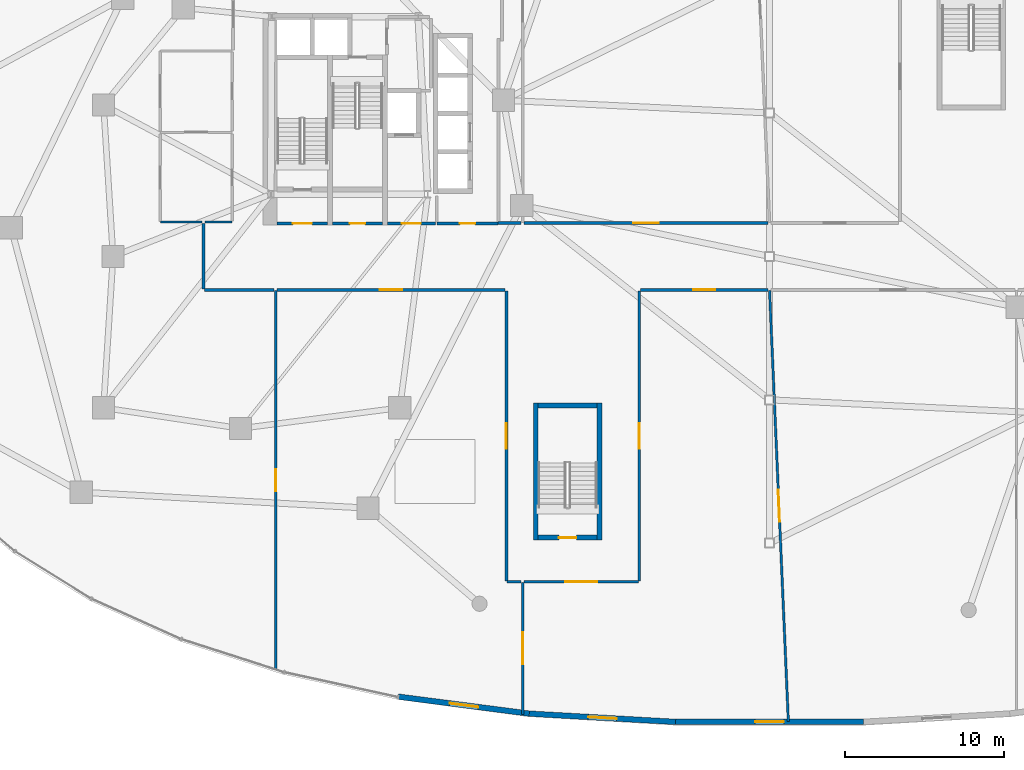
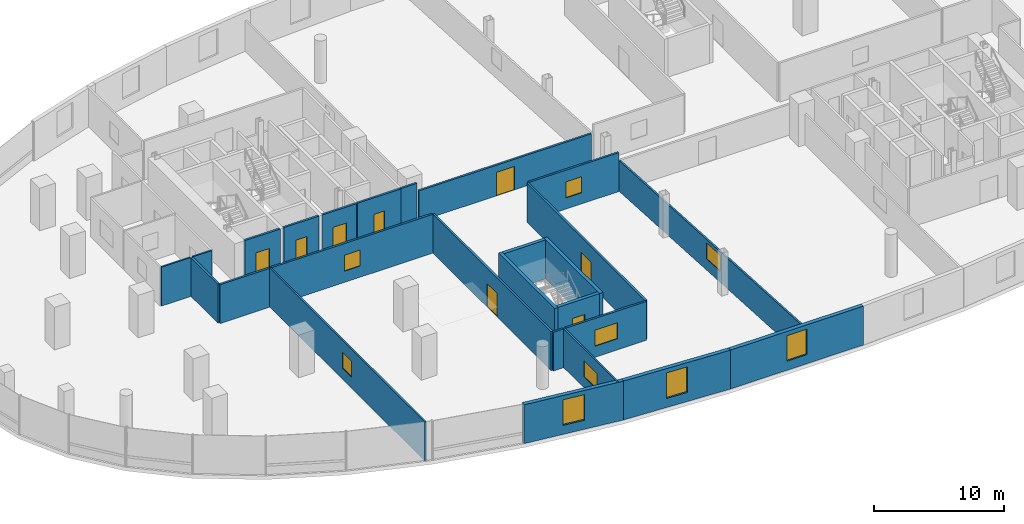
# One storey, part 12 of 19: 26 walls, 9 windows, 8 doors, 17 openings.
"""IFC4 building model written with IfcOpenShell, lengths in metres."""

from ifc_helpers import new_model, si_unit, direction, frame, frame_2d, origin, place, context, subcontext, project, spatial, rectangle, extrude, material, layer, layer_set, type_object, element, fill, save


model = new_model("IFC4")

# Units and contexts
model_context = context("Model", 3, precision=1e-05, world=origin(), true_north=direction((0.0, 1.0)))
body_context = subcontext(model_context, "Body", "Model", "MODEL_VIEW")
ifc_project = project(units=[si_unit("LENGTHUNIT", "METRE"), si_unit("AREAUNIT", "SQUARE_METRE"), si_unit("VOLUMEUNIT", "CUBIC_METRE"), si_unit("PLANEANGLEUNIT", "RADIAN"), si_unit("MASSUNIT", "GRAM", prefix="KILO"), si_unit("THERMODYNAMICTEMPERATUREUNIT", "KELVIN"), si_unit("POWERUNIT", "WATT")], contexts=[model_context])

# Site, building, storey
site_placement = place(None, origin())
site = spatial("IfcSite", under=ifc_project, at=site_placement, CompositionType="ELEMENT")
building_placement = place(site_placement, origin())
building = spatial("IfcBuilding", under=site, at=building_placement, Name="Cundina Bronze Exchange", CompositionType="ELEMENT")
storey_placement = place(building_placement, frame((0.0, 0.0, 16.0)))
storey = spatial("IfcBuildingStorey", under=building, at=storey_placement, Name="L03", CompositionType="ELEMENT", Elevation=16.0)

# Wall, opening, door
ifc_material_1 = material(Name="Gypsum Fireboard Partition EI120")
ifc_layer_1 = layer(ifc_material_1, 0.179931640625, Name="Gypsum Fireboard Partition EI120")
ifc_layer_set_1 = layer_set([ifc_layer_1], Name="Gypsum Fireboard Partition EI120")
wall_type_1 = type_object("IfcWallType", Name="WL-COR-180", PredefinedType="PARTITIONING", material=ifc_layer_set_1)
wall_1_placement = place(storey_placement, frame((-23.97998046875, 2.06005859375, 0.0), z_axis=(0.0, 0.0, 1.0), x_axis=(1.0, 0.0, 0.0)))
wall_1 = element("IfcWall", 1, at=wall_1_placement, inside=storey, type_object=wall_type_1, Name="L03 W Firefighting Lobby Exit Wall", PredefinedType="PARTITIONING", context=body_context, shape_type="SweptSolid", body=[
    extrude(rectangle(XDim=3.0, YDim=0.179931640625, at=frame_2d((1.5, 0.0))), origin(), (0.0, 0.0, 1.0), 3.64990234375),
])
opening_1_placement = place(wall_1_placement, frame((0.89990234375, 0.0, 0.0)))
opening_1 = element("IfcOpeningElement", 2, at=opening_1_placement, cuts=wall_1, Name="Opening DF-01", PredefinedType="OPENING", context=body_context, shape_type="SweptSolid", body=[
    extrude(rectangle(XDim=1.199951171875, YDim=2.14990234375, at=frame_2d((0.60009765625, 1.074951171875))), frame((0.0, 0.099853515625, 0.0), z_axis=(0.0, -1.0, 0.0), x_axis=(1.0, 0.0, 0.0)), (0.0, 0.0, 1.0), 0.199951171875),
])
ifc_material_2 = material(Name="Steel ASTM A36 Painted", Category="steel")
door_type_1 = type_object("IfcDoorType", Name="DR-FFL-1200", OperationType="NOTDEFINED", PredefinedType="DOOR", material=ifc_material_2)
door_1_placement = place(opening_1_placement, origin())
door_1 = element("IfcDoor", 3, at=door_1_placement, inside=storey, type_object=door_type_1, Name="L03 W Firefighting Lobby Door", OperationType="SINGLE_SWING_RIGHT", OverallHeight=2.14990234375, OverallWidth=1.199951171875, PredefinedType="DOOR", context=body_context, shape_type="SweptSolid", body=[
    extrude(rectangle(XDim=1.199951171875, YDim=2.14990234375, at=frame_2d((0.60009765625, 1.074951171875))), frame((0.0, 0.02490234375, 0.0), z_axis=(0.0, -1.0, 0.0), x_axis=(1.0, 0.0, 0.0)), (0.0, 0.0, 1.0), 0.050048828125),
])
fill(opening_1, door_1)

wall_2_placement = place(storey_placement, frame((-30.89990234375, 2.06005859375, 0.0), z_axis=(0.0, 0.0, 1.0), x_axis=(1.0, 0.0, 0.0)))
wall_2 = element("IfcWall", 4, at=wall_2_placement, inside=storey, type_object=wall_type_1, Name="L03 W Stair Vestibule Exit Wall", PredefinedType="PARTITIONING", context=body_context, shape_type="SweptSolid", body=[
    extrude(rectangle(XDim=3.159912109375, YDim=0.179931640625, at=frame_2d((1.580078125, 0.0))), origin(), (0.0, 0.0, 1.0), 3.64990234375),
])
opening_2_placement = place(wall_2_placement, frame((0.97998046875, 0.0, 0.0)))
opening_2 = element("IfcOpeningElement", 5, at=opening_2_placement, cuts=wall_2, Name="Opening DF-01", PredefinedType="OPENING", context=body_context, shape_type="SweptSolid", body=[
    extrude(rectangle(XDim=1.199951171875, YDim=2.14990234375, at=frame_2d((0.60009765625, 1.074951171875))), frame((0.0, 0.099853515625, 0.0), z_axis=(0.0, -1.0, 0.0), x_axis=(1.0, 0.0, 0.0)), (0.0, 0.0, 1.0), 0.199951171875),
])
door_2_placement = place(opening_2_placement, origin())
door_2 = element("IfcDoor", 6, at=door_2_placement, inside=storey, type_object=door_type_1, Name="L03 W Stair Vestibule Door", OperationType="SINGLE_SWING_LEFT", OverallHeight=2.14990234375, OverallWidth=1.199951171875, PredefinedType="DOOR", context=body_context, shape_type="SweptSolid", body=[
    extrude(rectangle(XDim=1.199951171875, YDim=2.14990234375, at=frame_2d((0.60009765625, 1.074951171875))), frame((0.0, 0.02490234375, 0.0), z_axis=(0.0, -1.0, 0.0), x_axis=(1.0, 0.0, 0.0)), (0.0, 0.0, 1.0), 0.050048828125),
])
fill(opening_2, door_2)

wall_3_placement = place(storey_placement, frame((-20.8701171875, 2.070068359375, 0.0), z_axis=(0.0, 0.0, 1.0), x_axis=(1.0, 0.0, 0.0)))
wall_3 = element("IfcWall", 7, at=wall_3_placement, inside=storey, type_object=wall_type_1, Name="L03 Interior Partition 002", PredefinedType="PARTITIONING", context=body_context, shape_type="SweptSolid", body=[
    extrude(rectangle(XDim=3.830078125, YDim=0.179931640625, at=frame_2d((1.9150390625, 0.0))), origin(), (0.0, 0.0, 1.0), 3.64990234375),
])
opening_3_placement = place(wall_3_placement, frame((1.43994140625, 0.0, 0.0)))
opening_3 = element("IfcOpeningElement", 8, at=opening_3_placement, cuts=wall_3, Name="Opening DW-01", PredefinedType="OPENING", context=body_context, shape_type="SweptSolid", body=[
    extrude(rectangle(XDim=0.949951171875, YDim=2.10009765625, at=frame_2d((0.47509765625, 1.050048828125))), frame((0.0, 0.099853515625, 0.0), z_axis=(0.0, -1.0, 0.0), x_axis=(1.0, 0.0, 0.0)), (0.0, 0.0, 1.0), 0.199951171875),
])
ifc_material_3 = material(Name="Solid Andean Oak Timber Grade A", Category="wood")
door_type_2 = type_object("IfcDoorType", Name="DR-WC-950", OperationType="NOTDEFINED", PredefinedType="DOOR", material=ifc_material_3)
door_3_placement = place(opening_3_placement, origin())
door_3 = element("IfcDoor", 9, at=door_3_placement, inside=storey, type_object=door_type_2, Name="L03 Interior Door 002", OperationType="SINGLE_SWING_LEFT", OverallHeight=2.10009765625, OverallWidth=0.949951171875, PredefinedType="DOOR", context=body_context, shape_type="SweptSolid", body=[
    extrude(rectangle(XDim=0.949951171875, YDim=2.10009765625, at=frame_2d((0.47509765625, 1.050048828125))), frame((0.0, 0.02490234375, 0.0), z_axis=(0.0, -1.0, 0.0), x_axis=(1.0, 0.0, 0.0)), (0.0, 0.0, 1.0), 0.050048828125),
])
fill(opening_3, door_3)

wall_4_placement = place(storey_placement, frame((-27.419921875, 2.070068359375, 0.0), z_axis=(0.0, 0.0, 1.0), x_axis=(1.0, 0.0, 0.0)))
wall_4 = element("IfcWall", 10, at=wall_4_placement, inside=storey, type_object=wall_type_1, Name="L03 Interior Partition 006", PredefinedType="PARTITIONING", context=body_context, shape_type="SweptSolid", body=[
    extrude(rectangle(XDim=3.119873046875, YDim=0.179931640625, at=frame_2d((1.56005859375, 0.0))), origin(), (0.0, 0.0, 1.0), 3.64990234375),
])
opening_4_placement = place(wall_4_placement, frame((1.0849609375, 0.0, 0.0)))
opening_4 = element("IfcOpeningElement", 11, at=opening_4_placement, cuts=wall_4, Name="Opening DW-01", PredefinedType="OPENING", context=body_context, shape_type="SweptSolid", body=[
    extrude(rectangle(XDim=0.949951171875, YDim=2.10009765625, at=frame_2d((0.47509765625, 1.050048828125))), frame((0.0, 0.099853515625, 0.0), z_axis=(0.0, -1.0, 0.0), x_axis=(1.0, 0.0, 0.0)), (0.0, 0.0, 1.0), 0.199951171875),
])
door_4_placement = place(opening_4_placement, origin())
door_4 = element("IfcDoor", 12, at=door_4_placement, inside=storey, type_object=door_type_2, Name="L03 Interior Door 006", OperationType="SINGLE_SWING_LEFT", OverallHeight=2.10009765625, OverallWidth=0.949951171875, PredefinedType="DOOR", context=body_context, shape_type="SweptSolid", body=[
    extrude(rectangle(XDim=0.949951171875, YDim=2.10009765625, at=frame_2d((0.47509765625, 1.050048828125))), frame((0.0, 0.02490234375, 0.0), z_axis=(0.0, -1.0, 0.0), x_axis=(1.0, 0.0, 0.0)), (0.0, 0.0, 1.0), 0.050048828125),
])
fill(opening_4, door_4)

wall_5_placement = place(storey_placement, frame((-8.179931640625, -20.37841796875, 0.0), z_axis=(0.0, 0.0, 1.0), x_axis=(0.0, 1.0, 0.0)))
wall_5 = element("IfcWall", 13, at=wall_5_placement, inside=storey, type_object=wall_type_1, Name="L03 Interior Partition 038", PredefinedType="PARTITIONING", context=body_context, shape_type="SweptSolid", body=[
    extrude(rectangle(XDim=18.198486328125, YDim=0.179931640625, at=frame_2d((9.09912109375, 0.0))), origin(), (0.0, 0.0, 1.0), 3.64990234375),
])
opening_5_placement = place(wall_5_placement, frame((8.29931640625, 0.0, 0.0)))
opening_5 = element("IfcOpeningElement", 14, at=opening_5_placement, cuts=wall_5, Name="Opening DO-02", PredefinedType="OPENING", context=body_context, shape_type="SweptSolid", body=[
    extrude(rectangle(XDim=1.60009765625, YDim=2.199951171875, at=frame_2d((0.800048828125, 1.10009765625))), frame((0.0, 0.099853515625, 0.0), z_axis=(0.0, -1.0, 0.0), x_axis=(1.0, 0.0, 0.0)), (0.0, 0.0, 1.0), 0.199951171875),
])
door_type_3 = type_object("IfcDoorType", Name="DR-TRD-1600", OperationType="NOTDEFINED", PredefinedType="DOOR", material=ifc_material_3)
door_5_placement = place(opening_5_placement, origin())
door_5 = element("IfcDoor", 15, at=door_5_placement, inside=storey, type_object=door_type_3, Name="L03 Interior Door 038", OperationType="SINGLE_SWING_LEFT", OverallHeight=2.199951171875, OverallWidth=1.60009765625, PredefinedType="DOOR", context=body_context, shape_type="SweptSolid", body=[
    extrude(rectangle(XDim=1.60009765625, YDim=2.199951171875, at=frame_2d((0.800048828125, 1.10009765625))), frame((0.0, 0.02490234375, 0.0), z_axis=(0.0, -1.0, 0.0), x_axis=(1.0, 0.0, 0.0)), (0.0, 0.0, 1.0), 0.050048828125),
])
fill(opening_5, door_5)

# Wall, opening, window
wall_6_placement = place(storey_placement, frame((-8.10009765625, -2.10009765625, 0.0), z_axis=(0.0, 0.0, 1.0), x_axis=(1.0, 0.0, 0.0)))
wall_6 = element("IfcWall", 16, at=wall_6_placement, inside=storey, type_object=wall_type_1, Name="L03 Interior Partition 039", PredefinedType="PARTITIONING", context=body_context, shape_type="SweptSolid", body=[
    extrude(rectangle(XDim=8.005126953125, YDim=0.179931640625, at=frame_2d((4.00244140625, 0.0))), origin(), (0.0, 0.0, 1.0), 3.64990234375),
])
opening_6_placement = place(wall_6_placement, frame((3.302001953125, 0.0, 1.050048828125)))
opening_6 = element("IfcOpeningElement", 17, at=opening_6_placement, cuts=wall_6, Name="Opening WI-02", PredefinedType="OPENING", context=body_context, shape_type="SweptSolid", body=[
    extrude(rectangle(XDim=1.39990234375, YDim=1.5, at=frame_2d((0.699951171875, 0.75))), frame((0.0, 0.099853515625, 0.0), z_axis=(0.0, -1.0, 0.0), x_axis=(1.0, 0.0, 0.0)), (0.0, 0.0, 1.0), 0.199951171875),
])
ifc_material_4 = material(Name="Clear Low-E Insulating Glass 26mm", Category="glass")
window_type_1 = type_object("IfcWindowType", Name="WN-INT-1400", PartitioningType="SINGLE_PANEL", PredefinedType="WINDOW", material=ifc_material_4)
window_1_placement = place(opening_6_placement, origin())
window_1 = element("IfcWindow", 18, at=window_1_placement, inside=storey, type_object=window_type_1, Name="L03 Interior Acoustic Vision Window 039", OverallHeight=1.5, OverallWidth=1.39990234375, PartitioningType="SINGLE_PANEL", PredefinedType="WINDOW", context=body_context, shape_type="SweptSolid", body=[
    extrude(rectangle(XDim=1.39990234375, YDim=1.5, at=frame_2d((0.699951171875, 0.75))), frame((0.0, 0.030029296875, 0.0), z_axis=(0.0, -1.0, 0.0), x_axis=(1.0, 0.0, 0.0)), (0.0, 0.0, 1.0), 0.06005859375),
])
fill(opening_6, window_1)

wall_7_placement = place(storey_placement, frame((-15.405029296875, -20.419921875, 0.0), z_axis=(0.0, 0.0, 1.0), x_axis=(1.0, 0.0, 0.0)))
wall_7 = element("IfcWall", 19, at=wall_7_placement, inside=storey, type_object=wall_type_1, Name="L03 Interior Partition 040", PredefinedType="PARTITIONING", context=body_context, shape_type="SweptSolid", body=[
    extrude(rectangle(XDim=7.18359375, YDim=0.179931640625, at=frame_2d((3.591796875, 0.0))), origin(), (0.0, 0.0, 1.0), 3.64990234375),
])
opening_7_placement = place(wall_7_placement, frame((2.592041015625, 0.0, 1.050048828125)))
opening_7 = element("IfcOpeningElement", 20, at=opening_7_placement, cuts=wall_7, Name="Opening WI-01", PredefinedType="OPENING", context=body_context, shape_type="SweptSolid", body=[
    extrude(rectangle(XDim=2.0, YDim=1.5, at=frame_2d((1.0, 0.75))), frame((0.0, 0.099853515625, 0.0), z_axis=(0.0, -1.0, 0.0), x_axis=(1.0, 0.0, 0.0)), (0.0, 0.0, 1.0), 0.199951171875),
])
window_type_2 = type_object("IfcWindowType", Name="WN-INT-2000", PartitioningType="SINGLE_PANEL", PredefinedType="WINDOW", material=ifc_material_4)
window_2_placement = place(opening_7_placement, origin())
window_2 = element("IfcWindow", 21, at=window_2_placement, inside=storey, type_object=window_type_2, Name="L03 Interior Acoustic Vision Window 040", OverallHeight=1.5, OverallWidth=2.0, PartitioningType="SINGLE_PANEL", PredefinedType="WINDOW", context=body_context, shape_type="SweptSolid", body=[
    extrude(rectangle(XDim=2.0, YDim=1.5, at=frame_2d((1.0, 0.75))), frame((0.0, 0.030029296875, 0.0), z_axis=(0.0, -1.0, 0.0), x_axis=(1.0, 0.0, 0.0)), (0.0, 0.0, 1.0), 0.06005859375),
])
fill(opening_7, window_2)

# Wall, opening, door
wall_8_placement = place(storey_placement, frame((-16.52001953125, -2.179931640625, 0.0), z_axis=(0.0, 0.0, 1.0), x_axis=(0.0, -1.0, 0.0)))
wall_8 = element("IfcWall", 22, at=wall_8_placement, inside=storey, type_object=wall_type_1, Name="L03 Interior Partition 042", PredefinedType="PARTITIONING", context=body_context, shape_type="SweptSolid", body=[
    extrude(rectangle(XDim=18.198486328125, YDim=0.179931640625, at=frame_2d((9.09912109375, 0.0))), origin(), (0.0, 0.0, 1.0), 3.64990234375),
])
opening_8_placement = place(wall_8_placement, frame((8.29931640625, 0.0, 0.0)))
opening_8 = element("IfcOpeningElement", 23, at=opening_8_placement, cuts=wall_8, Name="Opening DO-02", PredefinedType="OPENING", context=body_context, shape_type="SweptSolid", body=[
    extrude(rectangle(XDim=1.60009765625, YDim=2.199951171875, at=frame_2d((0.800048828125, 1.10009765625))), frame((0.0, 0.099853515625, 0.0), z_axis=(0.0, -1.0, 0.0), x_axis=(1.0, 0.0, 0.0)), (0.0, 0.0, 1.0), 0.199951171875),
])
door_6_placement = place(opening_8_placement, origin())
door_6 = element("IfcDoor", 24, at=door_6_placement, inside=storey, type_object=door_type_3, Name="L03 Interior Door 042", OperationType="SINGLE_SWING_RIGHT", OverallHeight=2.199951171875, OverallWidth=1.60009765625, PredefinedType="DOOR", context=body_context, shape_type="SweptSolid", body=[
    extrude(rectangle(XDim=1.60009765625, YDim=2.199951171875, at=frame_2d((0.800048828125, 1.10009765625))), frame((0.0, 0.02490234375, 0.0), z_axis=(0.0, -1.0, 0.0), x_axis=(1.0, 0.0, 0.0)), (0.0, 0.0, 1.0), 0.050048828125),
])
fill(opening_8, door_6)

# Wall, opening, window
wall_9_placement = place(storey_placement, frame((-30.905029296875, -2.10009765625, 0.0), z_axis=(0.0, 0.0, 1.0), x_axis=(1.0, 0.0, 0.0)))
wall_9 = element("IfcWall", 25, at=wall_9_placement, inside=storey, type_object=wall_type_1, Name="L03 Interior Partition 043", PredefinedType="PARTITIONING", context=body_context, shape_type="SweptSolid", body=[
    extrude(rectangle(XDim=14.304931640625, YDim=0.179931640625, at=frame_2d((7.15234375, 0.0))), origin(), (0.0, 0.0, 1.0), 3.64990234375),
])
opening_9_placement = place(wall_9_placement, frame((6.451904296875, 0.0, 1.050048828125)))
opening_9 = element("IfcOpeningElement", 26, at=opening_9_placement, cuts=wall_9, Name="Opening WI-02", PredefinedType="OPENING", context=body_context, shape_type="SweptSolid", body=[
    extrude(rectangle(XDim=1.39990234375, YDim=1.5, at=frame_2d((0.699951171875, 0.75))), frame((0.0, 0.099853515625, 0.0), z_axis=(0.0, -1.0, 0.0), x_axis=(1.0, 0.0, 0.0)), (0.0, 0.0, 1.0), 0.199951171875),
])
window_3_placement = place(opening_9_placement, origin())
window_3 = element("IfcWindow", 27, at=window_3_placement, inside=storey, type_object=window_type_1, Name="L03 Interior Acoustic Vision Window 043", OverallHeight=1.5, OverallWidth=1.39990234375, PartitioningType="SINGLE_PANEL", PredefinedType="WINDOW", context=body_context, shape_type="SweptSolid", body=[
    extrude(rectangle(XDim=1.39990234375, YDim=1.5, at=frame_2d((0.699951171875, 0.75))), frame((0.0, 0.030029296875, 0.0), z_axis=(0.0, -1.0, 0.0), x_axis=(1.0, 0.0, 0.0)), (0.0, 0.0, 1.0), 0.06005859375),
])
fill(opening_9, window_3)

# Walls
wall_10_placement = place(storey_placement, frame((-16.478515625, -20.419921875, 0.0), z_axis=(0.0, 0.0, 1.0), x_axis=(1.0, 0.0, 0.0)))
element("IfcWall", 28, at=wall_10_placement, inside=storey, type_object=wall_type_1, Name="L03 Interior Partition 044", PredefinedType="PARTITIONING", context=body_context, shape_type="SweptSolid", body=[
    extrude(rectangle(XDim=0.883544921875, YDim=0.179931640625, at=frame_2d((0.44189453125, 0.0))), origin(), (0.0, 0.0, 1.0), 3.64990234375),
])
wall_11_placement = place(storey_placement, frame((-35.478515625, -2.10009765625, 0.0), z_axis=(0.0, 0.0, 1.0), x_axis=(1.0, 0.0, 0.0)))
element("IfcWall", 29, at=wall_11_placement, inside=storey, type_object=wall_type_1, Name="L03 Interior Partition 046", PredefinedType="PARTITIONING", context=body_context, shape_type="SweptSolid", body=[
    extrude(rectangle(XDim=4.383544921875, YDim=0.179931640625, at=frame_2d((2.19189453125, 0.0))), origin(), (0.0, 0.0, 1.0), 3.64990234375),
])
wall_12_placement = place(storey_placement, frame((-35.52001953125, 2.05859375, 0.0), z_axis=(0.0, 0.0, 1.0), x_axis=(0.0, -1.0, 0.0)))
element("IfcWall", 30, at=wall_12_placement, inside=storey, type_object=wall_type_1, Name="L03 Interior Partition 047", PredefinedType="PARTITIONING", context=body_context, shape_type="SweptSolid", body=[
    extrude(rectangle(XDim=4.1171875, YDim=0.179931640625, at=frame_2d((2.05859375, 0.0))), origin(), (0.0, 0.0, 1.0), 3.64990234375),
])

# Wall, opening, door
wall_13_placement = place(storey_placement, frame((-0.094970703125, 2.10009765625, 0.0), z_axis=(0.0, 0.0, 1.0), x_axis=(-1.0, 0.0, 0.0)))
wall_13 = element("IfcWall", 31, at=wall_13_placement, inside=storey, type_object=wall_type_1, Name="L03 Interior Partition 057", PredefinedType="PARTITIONING", context=body_context, shape_type="SweptSolid", body=[
    extrude(rectangle(XDim=15.31005859375, YDim=0.179931640625, at=frame_2d((7.655029296875, 0.0))), origin(), (0.0, 0.0, 1.0), 2.876953125),
])
opening_10_placement = place(wall_13_placement, frame((6.85498046875, 0.0, 0.0)))
opening_10 = element("IfcOpeningElement", 32, at=opening_10_placement, cuts=wall_13, Name="Opening DO-02", PredefinedType="OPENING", context=body_context, shape_type="SweptSolid", body=[
    extrude(rectangle(XDim=1.60009765625, YDim=2.199951171875, at=frame_2d((0.800048828125, 1.10009765625))), frame((0.0, 0.099853515625, 0.0), z_axis=(0.0, -1.0, 0.0), x_axis=(1.0, 0.0, 0.0)), (0.0, 0.0, 1.0), 0.199951171875),
])
door_7_placement = place(opening_10_placement, origin())
door_7 = element("IfcDoor", 33, at=door_7_placement, inside=storey, type_object=door_type_3, Name="L03 Interior Door 057", OperationType="SINGLE_SWING_RIGHT", OverallHeight=2.199951171875, OverallWidth=1.60009765625, PredefinedType="DOOR", context=body_context, shape_type="SweptSolid", body=[
    extrude(rectangle(XDim=1.60009765625, YDim=2.199951171875, at=frame_2d((0.800048828125, 1.10009765625))), frame((0.0, 0.02490234375, 0.0), z_axis=(0.0, -1.0, 0.0), x_axis=(1.0, 0.0, 0.0)), (0.0, 0.0, 1.0), 0.050048828125),
])
fill(opening_10, door_7)

# Wall
wall_14_placement = place(storey_placement, frame((-15.594970703125, 2.10009765625, 0.0), z_axis=(0.0, 0.0, 1.0), x_axis=(-1.0, 0.0, 0.0)))
element("IfcWall", 34, at=wall_14_placement, inside=storey, type_object=wall_type_1, Name="L03 Interior Partition 063", PredefinedType="PARTITIONING", context=body_context, shape_type="SweptSolid", body=[
    extrude(rectangle(XDim=1.445068359375, YDim=0.179931640625, at=frame_2d((0.72265625, 0.0))), origin(), (0.0, 0.0, 1.0), 3.64990234375),
])

# Wall, opening, window
ifc_material_5 = material(Name="Concrete C40/50", Category="concrete")
ifc_layer_2 = layer(ifc_material_5, 0.35009765625, Name="Concrete C40/50", Category="concrete")
ifc_layer_set_2 = layer_set([ifc_layer_2], Name="Concrete C40/50")
wall_type_2 = type_object("IfcWallType", Name="WL-EXT-350", PredefinedType="SOLIDWALL", material=ifc_layer_set_2)
wall_15_placement = place(storey_placement, frame((-23.29345703125, -27.63232421875, 0.0), z_axis=(0.0, 0.0, 1.0), x_axis=(0.99168663472, -0.128676410104, 0.0)))
wall_15 = element("IfcWall", 35, at=wall_15_placement, inside=storey, type_object=wall_type_2, Name="L03 Podium Exterior Wall 30", PredefinedType="SOLIDWALL", context=body_context, shape_type="SweptSolid", body=[
    extrude(rectangle(XDim=8.28369140625, YDim=0.35009765625, at=frame_2d((4.141845703125, 0.0))), origin(), (0.0, 0.0, 1.0), 3.64990234375),
])
opening_11_placement = place(wall_15_placement, frame((3.241943359375, 0.0, 0.85009765625)))
opening_11 = element("IfcOpeningElement", 36, at=opening_11_placement, cuts=wall_15, Name="Opening W-02", PredefinedType="OPENING", context=body_context, shape_type="SweptSolid", body=[
    extrude(rectangle(XDim=1.800048828125, YDim=2.39990234375, at=frame_2d((0.89990234375, 1.199951171875))), frame((0.0, 0.18505859375, 0.0), z_axis=(0.0, -1.0, 0.0), x_axis=(1.0, 0.0, 0.0)), (0.0, 0.0, 1.0), 0.3701171875),
])
ifc_material_6 = material(Name="Heat-Strengthened Solar-Control Bronze Safety Glass 28mm", Category="glass")
window_type_3 = type_object("IfcWindowType", Name="WN-POD-1800", PartitioningType="SINGLE_PANEL", PredefinedType="WINDOW", material=ifc_material_6)
window_4_placement = place(opening_11_placement, origin())
window_4 = element("IfcWindow", 37, at=window_4_placement, inside=storey, type_object=window_type_3, Name="L03 Podium Punched Window 30", OverallHeight=2.39990234375, OverallWidth=1.800048828125, PartitioningType="SINGLE_PANEL", PredefinedType="WINDOW", context=body_context, shape_type="SweptSolid", body=[
    extrude(rectangle(XDim=1.800048828125, YDim=2.39990234375, at=frame_2d((0.89990234375, 1.199951171875))), frame((0.0, 0.030029296875, 0.0), z_axis=(0.0, -1.0, 0.0), x_axis=(1.0, 0.0, 0.0)), (0.0, 0.0, 1.0), 0.06005859375),
])
fill(opening_11, window_4)

wall_16_placement = place(storey_placement, frame((-15.07861328125, -28.6982421875, 0.0), z_axis=(0.0, 0.0, 1.0), x_axis=(0.998413463137, -0.056307695976, 0.0)))
wall_16 = element("IfcWall", 38, at=wall_16_placement, inside=storey, type_object=wall_type_2, Name="L03 Podium Exterior Wall 31", PredefinedType="SOLIDWALL", context=body_context, shape_type="SweptSolid", body=[
    extrude(rectangle(XDim=9.20068359375, YDim=0.35009765625, at=frame_2d((4.600341796875, 0.0))), origin(), (0.0, 0.0, 1.0), 3.64990234375),
])
opening_12_placement = place(wall_16_placement, frame((3.699951171875, 0.0, 0.85009765625)))
opening_12 = element("IfcOpeningElement", 39, at=opening_12_placement, cuts=wall_16, Name="Opening W-02", PredefinedType="OPENING", context=body_context, shape_type="SweptSolid", body=[
    extrude(rectangle(XDim=1.800048828125, YDim=2.39990234375, at=frame_2d((0.89990234375, 1.199951171875))), frame((0.0, 0.18505859375, 0.0), z_axis=(0.0, -1.0, 0.0), x_axis=(1.0, 0.0, 0.0)), (0.0, 0.0, 1.0), 0.3701171875),
])
window_5_placement = place(opening_12_placement, origin())
window_5 = element("IfcWindow", 40, at=window_5_placement, inside=storey, type_object=window_type_3, Name="L03 Podium Punched Window 31", OverallHeight=2.39990234375, OverallWidth=1.800048828125, PartitioningType="SINGLE_PANEL", PredefinedType="WINDOW", context=body_context, shape_type="SweptSolid", body=[
    extrude(rectangle(XDim=1.800048828125, YDim=2.39990234375, at=frame_2d((0.89990234375, 1.199951171875))), frame((0.0, 0.030029296875, 0.0), z_axis=(0.0, -1.0, 0.0), x_axis=(1.0, 0.0, 0.0)), (0.0, 0.0, 1.0), 0.06005859375),
])
fill(opening_12, window_5)

wall_17_placement = place(storey_placement, frame((-5.892578125, -29.21630859375, 0.0), z_axis=(0.0, 0.0, 1.0), x_axis=(1.0, 0.0, 0.0)))
wall_17 = element("IfcWall", 41, at=wall_17_placement, inside=storey, type_object=wall_type_2, Name="L03 Podium Exterior Wall 32", PredefinedType="SOLIDWALL", context=body_context, shape_type="SweptSolid", body=[
    extrude(rectangle(XDim=11.78515625, YDim=0.35009765625, at=frame_2d((5.892578125, 0.0))), origin(), (0.0, 0.0, 1.0), 3.64990234375),
])
opening_13_placement = place(wall_17_placement, frame((4.991943359375, 0.0, 0.85009765625)))
opening_13 = element("IfcOpeningElement", 42, at=opening_13_placement, cuts=wall_17, Name="Opening W-02", PredefinedType="OPENING", context=body_context, shape_type="SweptSolid", body=[
    extrude(rectangle(XDim=1.800048828125, YDim=2.39990234375, at=frame_2d((0.89990234375, 1.199951171875))), frame((0.0, 0.18505859375, 0.0), z_axis=(0.0, -1.0, 0.0), x_axis=(1.0, 0.0, 0.0)), (0.0, 0.0, 1.0), 0.3701171875),
])
window_6_placement = place(opening_13_placement, origin())
window_6 = element("IfcWindow", 43, at=window_6_placement, inside=storey, type_object=window_type_3, Name="L03 Podium Punched Window 32", OverallHeight=2.39990234375, OverallWidth=1.800048828125, PartitioningType="SINGLE_PANEL", PredefinedType="WINDOW", context=body_context, shape_type="SweptSolid", body=[
    extrude(rectangle(XDim=1.800048828125, YDim=2.39990234375, at=frame_2d((0.89990234375, 1.199951171875))), frame((0.0, 0.030029296875, 0.0), z_axis=(0.0, -1.0, 0.0), x_axis=(1.0, 0.0, 0.0)), (0.0, 0.0, 1.0), 0.06005859375),
])
fill(opening_13, window_6)

# Walls
ifc_material_7 = material(Name="Concrete C50/60", Category="concrete")
ifc_layer_3 = layer(ifc_material_7, 0.300048828125, Name="Concrete C50/60", Category="concrete")
ifc_layer_set_3 = layer_set([ifc_layer_3], Name="Concrete C50/60")
wall_type_3 = type_object("IfcWallType", Name="WL-SHFT-300", PredefinedType="SHEAR", material=ifc_layer_set_3)
for number, where, z_axis, x_axis, name in (
    (44, (-14.669921875, -17.800048828125, 0.0), (0.0, 0.0, 1.0), (0.0, 1.0, 0.0), "L03 Concourse Stair W West Shaft Wall"),
    (45, (-10.669921875, -17.800048828125, 0.0), (0.0, 0.0, 1.0), (0.0, 1.0, 0.0), "L03 Concourse Stair W East Shaft Wall"),
):
    element("IfcWall", number, at=place(storey_placement, frame(where, z_axis=z_axis, x_axis=x_axis)), inside=storey, type_object=wall_type_3, Name=name, PredefinedType="SHEAR", context=body_context, shape_type="SweptSolid", body=[
        extrude(rectangle(XDim=8.60009765625, YDim=0.300048828125, at=frame_2d((4.300048828125, 0.0))), origin(), (0.0, 0.0, 1.0), 3.64990234375),
    ])

# Wall, opening, door
wall_18_placement = place(storey_placement, frame((-14.52001953125, -17.64990234375, 0.0), z_axis=(0.0, 0.0, 1.0), x_axis=(1.0, 0.0, 0.0)))
wall_18 = element("IfcWall", 46, at=wall_18_placement, inside=storey, type_object=wall_type_3, Name="L03 Concourse Stair W Landing Wall", PredefinedType="SHEAR", context=body_context, shape_type="SweptSolid", body=[
    extrude(rectangle(XDim=3.699951171875, YDim=0.300048828125, at=frame_2d((1.85009765625, 0.0))), origin(), (0.0, 0.0, 1.0), 3.64990234375),
])
opening_14_placement = place(wall_18_placement, frame((1.300048828125, 0.0, 0.0)))
opening_14 = element("IfcOpeningElement", 47, at=opening_14_placement, cuts=wall_18, Name="Opening DS-01", PredefinedType="OPENING", context=body_context, shape_type="SweptSolid", body=[
    extrude(rectangle(XDim=1.10009765625, YDim=2.14990234375, at=frame_2d((0.550048828125, 1.074951171875))), frame((0.0, 0.159912109375, 0.0), z_axis=(0.0, -1.0, 0.0), x_axis=(1.0, 0.0, 0.0)), (0.0, 0.0, 1.0), 0.320068359375),
])
door_type_4 = type_object("IfcDoorType", Name="DR-STR-1100", OperationType="NOTDEFINED", PredefinedType="DOOR", material=ifc_material_2)
door_8_placement = place(opening_14_placement, origin())
door_8 = element("IfcDoor", 48, at=door_8_placement, inside=storey, type_object=door_type_4, Name="L03 Concourse Stair W Door", OperationType="SINGLE_SWING_LEFT", OverallHeight=2.14990234375, OverallWidth=1.10009765625, PredefinedType="DOOR", context=body_context, shape_type="SweptSolid", body=[
    extrude(rectangle(XDim=1.10009765625, YDim=2.14990234375, at=frame_2d((0.550048828125, 1.074951171875))), frame((0.0, 0.02490234375, 0.0), z_axis=(0.0, -1.0, 0.0), x_axis=(1.0, 0.0, 0.0)), (0.0, 0.0, 1.0), 0.050048828125),
])
fill(opening_14, door_8)

# Wall
wall_19_placement = place(storey_placement, frame((-14.52001953125, -9.35009765625, 0.0), z_axis=(0.0, 0.0, 1.0), x_axis=(1.0, 0.0, 0.0)))
element("IfcWall", 49, at=wall_19_placement, inside=storey, type_object=wall_type_3, Name="L03 Concourse Stair W Far Shaft Wall", PredefinedType="SHEAR", context=body_context, shape_type="SweptSolid", body=[
    extrude(rectangle(XDim=3.699951171875, YDim=0.300048828125, at=frame_2d((1.85009765625, 0.0))), origin(), (0.0, 0.0, 1.0), 3.64990234375),
])

# Wall, opening, window
ifc_material_8 = material(Name="Gypsum Acoustic Partition EI60")
ifc_layer_4 = layer(ifc_material_8, 0.14990234375, Name="Gypsum Acoustic Partition EI60")
ifc_layer_set_4 = layer_set([ifc_layer_4], Name="Gypsum Acoustic Partition EI60")
wall_type_4 = type_object("IfcWallType", Name="WL-TEN-150", PredefinedType="PARTITIONING", material=ifc_layer_set_4)
wall_20_placement = place(storey_placement, frame((-31.0, -25.97119140625, 0.0), z_axis=(0.0, 0.0, 1.0), x_axis=(0.0, 1.0, 0.0)))
wall_20 = element("IfcWall", 50, at=wall_20_placement, inside=storey, type_object=wall_type_4, Name="L03 Interior Partition 023", PredefinedType="PARTITIONING", context=body_context, shape_type="SweptSolid", body=[
    extrude(rectangle(XDim=23.84130859375, YDim=0.14990234375, at=frame_2d((11.920654296875, 0.0))), origin(), (0.0, 0.0, 1.0), 3.64990234375),
])
opening_15_placement = place(wall_20_placement, frame((11.220947265625, 0.0, 1.050048828125)))
opening_15 = element("IfcOpeningElement", 51, at=opening_15_placement, cuts=wall_20, Name="Opening WI-02", PredefinedType="OPENING", context=body_context, shape_type="SweptSolid", body=[
    extrude(rectangle(XDim=1.39990234375, YDim=1.5, at=frame_2d((0.699951171875, 0.75))), frame((0.0, 0.0849609375, 0.0), z_axis=(0.0, -1.0, 0.0), x_axis=(1.0, 0.0, 0.0)), (0.0, 0.0, 1.0), 0.169921875),
])
window_7_placement = place(opening_15_placement, origin())
window_7 = element("IfcWindow", 52, at=window_7_placement, inside=storey, type_object=window_type_1, Name="L03 Interior Acoustic Vision Window 023", OverallHeight=1.5, OverallWidth=1.39990234375, PartitioningType="SINGLE_PANEL", PredefinedType="WINDOW", context=body_context, shape_type="SweptSolid", body=[
    extrude(rectangle(XDim=1.39990234375, YDim=1.5, at=frame_2d((0.699951171875, 0.75))), frame((0.0, 0.030029296875, 0.0), z_axis=(0.0, -1.0, 0.0), x_axis=(1.0, 0.0, 0.0)), (0.0, 0.0, 1.0), 0.06005859375),
])
fill(opening_15, window_7)

wall_21_placement = place(storey_placement, frame((-15.5, -28.739990234375, 0.0), z_axis=(0.0, 0.0, 1.0), x_axis=(0.0, 1.0, 0.0)))
wall_21 = element("IfcWall", 53, at=wall_21_placement, inside=storey, type_object=wall_type_4, Name="L03 Interior Partition 026", PredefinedType="PARTITIONING", context=body_context, shape_type="SweptSolid", body=[
    extrude(rectangle(XDim=8.2900390625, YDim=0.14990234375, at=frame_2d((4.14501953125, 0.0))), origin(), (0.0, 0.0, 1.0), 3.64990234375),
])
opening_16_placement = place(wall_21_placement, frame((3.14501953125, 0.0, 1.050048828125)))
opening_16 = element("IfcOpeningElement", 54, at=opening_16_placement, cuts=wall_21, Name="Opening WI-01", PredefinedType="OPENING", context=body_context, shape_type="SweptSolid", body=[
    extrude(rectangle(XDim=2.0, YDim=1.5, at=frame_2d((1.0, 0.75))), frame((0.0, 0.0849609375, 0.0), z_axis=(0.0, -1.0, 0.0), x_axis=(1.0, 0.0, 0.0)), (0.0, 0.0, 1.0), 0.169921875),
])
window_8_placement = place(opening_16_placement, origin())
window_8 = element("IfcWindow", 55, at=window_8_placement, inside=storey, type_object=window_type_2, Name="L03 Interior Acoustic Vision Window 026", OverallHeight=1.5, OverallWidth=2.0, PartitioningType="SINGLE_PANEL", PredefinedType="WINDOW", context=body_context, shape_type="SweptSolid", body=[
    extrude(rectangle(XDim=2.0, YDim=1.5, at=frame_2d((1.0, 0.75))), frame((0.0, 0.030029296875, 0.0), z_axis=(0.0, -1.0, 0.0), x_axis=(1.0, 0.0, 0.0)), (0.0, 0.0, 1.0), 0.06005859375),
])
fill(opening_16, window_8)

wall_22_placement = place(storey_placement, frame((1.179443359375, -29.179931640625, 0.0), z_axis=(0.0, 0.0, 1.0), x_axis=(-0.043560875221, 0.999050774561, 0.0)))
wall_22 = element("IfcWall", 56, at=wall_22_placement, inside=storey, type_object=wall_type_4, Name="L03 Interior Partition 028", PredefinedType="PARTITIONING", context=body_context, shape_type="SweptSolid", body=[
    extrude(rectangle(XDim=27.07568359375, YDim=0.14990234375, at=frame_2d((13.537841796875, 0.0))), origin(), (0.0, 0.0, 1.0), 2.876953125),
])
opening_17_placement = place(wall_22_placement, frame((12.5380859375, 0.0, 1.050048828125)))
opening_17 = element("IfcOpeningElement", 57, at=opening_17_placement, cuts=wall_22, Name="Opening WI-01", PredefinedType="OPENING", context=body_context, shape_type="SweptSolid", body=[
    extrude(rectangle(XDim=2.0, YDim=1.5, at=frame_2d((1.0, 0.75))), frame((0.0, 0.0849609375, 0.0), z_axis=(0.0, -1.0, 0.0), x_axis=(1.0, 0.0, 0.0)), (0.0, 0.0, 1.0), 0.169921875),
])
window_9_placement = place(opening_17_placement, origin())
window_9 = element("IfcWindow", 58, at=window_9_placement, inside=storey, type_object=window_type_2, Name="L03 Interior Acoustic Vision Window 028", OverallHeight=1.5, OverallWidth=2.0, PartitioningType="SINGLE_PANEL", PredefinedType="WINDOW", context=body_context, shape_type="SweptSolid", body=[
    extrude(rectangle(XDim=2.0, YDim=1.5, at=frame_2d((1.0, 0.75))), frame((0.0, 0.030029296875, 0.0), z_axis=(0.0, -1.0, 0.0), x_axis=(1.0, 0.0, 0.0)), (0.0, 0.0, 1.0), 0.06005859375),
])
fill(opening_17, window_9)

# Walls
ifc_material_9 = material(Name="Moisture-Resistant Masonry Block Grade M15", Category="masonry")
ifc_layer_5 = layer(ifc_material_9, 0.139892578125, Name="Moisture-Resistant Masonry Block Grade M15", Category="masonry")
ifc_layer_set_5 = layer_set([ifc_layer_5], Name="Moisture-Resistant Masonry Block Grade M15")
wall_type_5 = type_object("IfcWallType", Name="WL-WET-140", PredefinedType="PARTITIONING", material=ifc_layer_set_5)
wall_23_placement = place(storey_placement, frame((-38.219970703125, 2.159912109375, 0.0), z_axis=(0.0, 0.0, 1.0), x_axis=(1.0, 0.0, 0.0)))
element("IfcWall", 59, at=wall_23_placement, inside=storey, type_object=wall_type_5, Name="L03 Interior Partition 017", PredefinedType="PARTITIONING", context=body_context, shape_type="SweptSolid", body=[
    extrude(rectangle(XDim=2.614990234375, YDim=0.139892578125, at=frame_2d((1.3076171875, 0.0))), origin(), (0.0, 0.0, 1.0), 3.64990234375),
])
wall_24_placement = place(storey_placement, frame((-35.43505859375, 2.159912109375, 0.0), z_axis=(0.0, 0.0, 1.0), x_axis=(1.0, 0.0, 0.0)))
element("IfcWall", 60, at=wall_24_placement, inside=storey, type_object=wall_type_5, Name="L03 Interior Partition 018", PredefinedType="PARTITIONING", context=body_context, shape_type="SweptSolid", body=[
    extrude(rectangle(XDim=1.695068359375, YDim=0.139892578125, at=frame_2d((0.84765625, 0.0))), origin(), (0.0, 0.0, 1.0), 3.64990234375),
])

save(model, "model.ifc")
